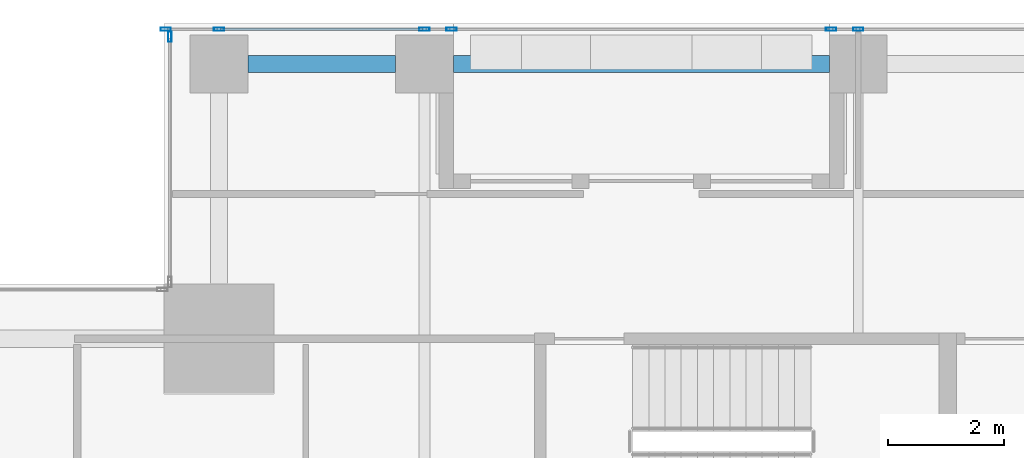
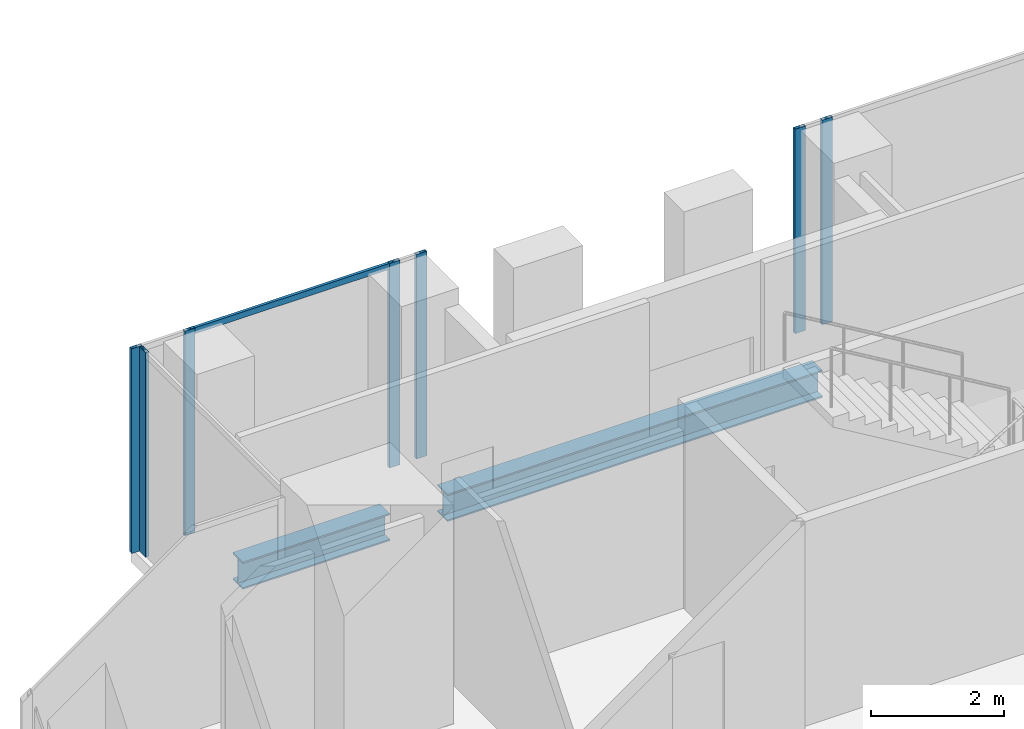
# One storey, part 21 of 40: 8 members, 2 beams, 3 elements without a shape of their own.
"""IFC4 building model written with IfcOpenShell, lengths in metres."""

from ifc_helpers import new_model, si_unit, direction, frame, origin, origin_2d, place, context, subcontext, project, spatial, hollow_rectangle, i_section, extrude, source, transform, mapped, material, material_profile, profile_set, type_object, element, aggregate, save


model = new_model("IFC4")

# Units and contexts
model_context = context("Model", 3, precision=1e-05, world=origin(), true_north=direction((0.0, 1.0)))
body_context = subcontext(model_context, "Body", "Model", "MODEL_VIEW")
ifc_project = project(units=[si_unit("LENGTHUNIT", "METRE"), si_unit("AREAUNIT", "SQUARE_METRE"), si_unit("VOLUMEUNIT", "CUBIC_METRE"), si_unit("PLANEANGLEUNIT", "RADIAN"), si_unit("MASSUNIT", "GRAM", prefix="KILO")], contexts=[model_context])

# Site, building, storey
site_placement = place(None, origin())
site = spatial("IfcSite", under=ifc_project, at=site_placement, CompositionType="ELEMENT")
building_placement = place(site_placement, origin())
building = spatial("IfcBuilding", under=site, at=building_placement, Name="Khomas Fold Tower", CompositionType="ELEMENT")
storey_placement = place(building_placement, frame((0.0, 0.0, 192.699951171875)))
storey = spatial("IfcBuildingStorey", under=building, at=storey_placement, Name="L42", CompositionType="ELEMENT", Elevation=192.699951171875)

# Beams
ifc_material_1 = material(Name="Steel S355", Category="steel")
ifc_material_profile_1 = material_profile(ifc_material_1, i_section(OverallWidth=0.300048828125, OverallDepth=0.5, WebThickness=0.014404296875, FlangeThickness=0.028076171875, at=origin_2d()), Name="HE 500 B")
ifc_profile_set_1 = profile_set([ifc_material_profile_1], Name="Steel S355")
beam_type = type_object("IfcBeamType", Name="HE 500 B spandrel SB3", PredefinedType="SPANDREL", material=ifc_profile_set_1)
shared_shape_1 = source(origin(), body_context, "Body", "SweptSolid", [
    extrude(i_section(OverallWidth=0.300048828125, OverallDepth=0.5, WebThickness=0.014404296875, FlangeThickness=0.028076171875, at=origin_2d()), origin(), (0.0, 0.0, 1.0), 2.550048828125),
])
beam_1_placement = place(storey_placement, frame((8.949951171875, 50.300048828125, -0.5), z_axis=(1.0, 0.0, 0.0), x_axis=(0.0, 1.0, 0.0)))
element("IfcBeam", 1, at=beam_1_placement, inside=storey, type_object=beam_type, Name="SB3", PredefinedType="SPANDREL", context=body_context, shape_type="MappedRepresentation", body=[
    mapped(shared_shape_1, transform((0.0, 0.0, 0.0))),
])
shared_shape_2 = source(origin(), body_context, "Body", "SweptSolid", [
    extrude(i_section(OverallWidth=0.300048828125, OverallDepth=0.5, WebThickness=0.014404296875, FlangeThickness=0.028076171875, at=origin_2d()), origin(), (0.0, 0.0, 1.0), 6.5),
])
beam_2_placement = place(storey_placement, frame((12.5, 50.300048828125, -0.5), z_axis=(1.0, 0.0, 0.0), x_axis=(0.0, 1.0, 0.0)))
element("IfcBeam", 2, at=beam_2_placement, inside=storey, type_object=beam_type, Name="SB3", PredefinedType="SPANDREL", context=body_context, shape_type="MappedRepresentation", body=[
    mapped(shared_shape_2, transform((0.0, 0.0, 0.0))),
])

# Curtain wall, members
ifc_material_2 = material(Name="Aluminium framed double glazing", Category="aluminium")
curtain_wall_type = type_object("IfcCurtainWallType", Name="SK-Unitised clear-glass wall, office floors CW2", PredefinedType="NOTDEFINED", material=ifc_material_2)
curtain_wall_1_placement = place(storey_placement, origin())
curtain_wall_1 = element("IfcCurtainWall", 3, at=curtain_wall_1_placement, inside=storey, type_object=curtain_wall_type, Name="CW2 run L42 06-0", PredefinedType="NOTDEFINED")
ifc_material_3 = material(Name="Aluminium", Category="aluminium")
ifc_material_profile_2 = material_profile(ifc_material_3, hollow_rectangle(XDim=0.06005859375, YDim=0.179931640625, WallThickness=0.00390625, at=origin_2d()), Name="SK-Unitised clear-glass wall, office floors mullion CW2-M")
ifc_profile_set_2 = profile_set([ifc_material_profile_2], Name="Aluminium")
member_type_1 = type_object("IfcMemberType", Name="SK-Unitised clear-glass wall, office floors mullion CW2-M", PredefinedType="MULLION", material=ifc_profile_set_2)
shared_shape_3 = source(origin(), body_context, "Body", "SweptSolid", [
    extrude(hollow_rectangle(XDim=0.06005859375, YDim=0.179931640625, WallThickness=0.00390625, at=origin_2d()), origin(), (0.0, 0.0, 1.0), 3.75),
])
member_1_placement = place(storey_placement, frame((19.5, 50.89990234375, 0.0), z_axis=(0.0, 0.0, 1.0), x_axis=(0.0, -1.0, 0.0)))
member_1 = element("IfcMember", 4, at=member_1_placement, type_object=member_type_1, Name="CW2 mullion 4", PredefinedType="MULLION", context=body_context, shape_type="MappedRepresentation", body=[
    mapped(shared_shape_3, transform((0.0, 0.0, 0.0))),
])
member_2_placement = place(storey_placement, frame((19.030029296875, 50.89990234375, 0.0), z_axis=(0.0, 0.0, 1.0), x_axis=(0.0, -1.0, 0.0)))
member_2 = element("IfcMember", 5, at=member_2_placement, type_object=member_type_1, Name="CW2 mullion 5", PredefinedType="MULLION", context=body_context, shape_type="MappedRepresentation", body=[
    mapped(shared_shape_3, transform((0.0, 0.0, 0.0))),
])
aggregate(curtain_wall_1, [member_1, member_2])

curtain_wall_2_placement = place(storey_placement, origin())
curtain_wall_2 = element("IfcCurtainWall", 6, at=curtain_wall_2_placement, inside=storey, type_object=curtain_wall_type, Name="CW2 run L42 06-1", PredefinedType="NOTDEFINED")
member_3_placement = place(storey_placement, frame((12.469970703125, 50.89990234375, 0.0), z_axis=(0.0, 0.0, 1.0), x_axis=(0.0, -1.0, 0.0)))
member_3 = element("IfcMember", 7, at=member_3_placement, type_object=member_type_1, Name="CW2 mullion 1", PredefinedType="MULLION", context=body_context, shape_type="MappedRepresentation", body=[
    mapped(shared_shape_3, transform((0.0, 0.0, 0.0))),
])
member_4_placement = place(storey_placement, frame((12.0, 50.89990234375, 0.0), z_axis=(0.0, 0.0, 1.0), x_axis=(0.0, -1.0, 0.0)))
member_4 = element("IfcMember", 8, at=member_4_placement, type_object=member_type_1, Name="CW2 mullion 2", PredefinedType="MULLION", context=body_context, shape_type="MappedRepresentation", body=[
    mapped(shared_shape_3, transform((0.0, 0.0, 0.0))),
])
member_5_placement = place(storey_placement, frame((8.449951171875, 50.89990234375, 0.0), z_axis=(0.0, 0.0, 1.0), x_axis=(0.0, -1.0, 0.0)))
member_5 = element("IfcMember", 9, at=member_5_placement, type_object=member_type_1, Name="CW2 mullion 3", PredefinedType="MULLION", context=body_context, shape_type="MappedRepresentation", body=[
    mapped(shared_shape_3, transform((0.0, 0.0, 0.0))),
])
member_6_placement = place(storey_placement, frame((7.530029296875, 50.89990234375, 0.0), z_axis=(0.0, 0.0, 1.0), x_axis=(0.0, -1.0, 0.0)))
member_6 = element("IfcMember", 10, at=member_6_placement, type_object=member_type_1, Name="CW2 mullion 4", PredefinedType="MULLION", context=body_context, shape_type="MappedRepresentation", body=[
    mapped(shared_shape_3, transform((0.0, 0.0, 0.0))),
])

# Curtain wall, member
curtain_wall_3_placement = place(storey_placement, origin())
curtain_wall_3 = element("IfcCurtainWall", 11, at=curtain_wall_3_placement, inside=storey, type_object=curtain_wall_type, Name="CW2 corner return L42 07", PredefinedType="NOTDEFINED")
member_7_placement = place(storey_placement, frame((7.60009765625, 50.77001953125, 0.0), z_axis=(0.0, 0.0, 1.0), x_axis=(1.0, 0.0, 0.0)))
member_7 = element("IfcMember", 12, at=member_7_placement, type_object=member_type_1, Name="CW2 mullion 1", PredefinedType="MULLION", context=body_context, shape_type="MappedRepresentation", body=[
    mapped(shared_shape_3, transform((0.0, 0.0, 0.0))),
])
aggregate(curtain_wall_3, [member_7])

# Member
ifc_material_4 = material(Name="Aluminium", Category="aluminium")
ifc_material_profile_3 = material_profile(ifc_material_4, hollow_rectangle(XDim=0.050048828125, YDim=0.110107421875, WallThickness=0.00390625, at=origin_2d()), Name="SK-Unitised clear-glass wall, office floors transom CW2-T")
ifc_profile_set_3 = profile_set([ifc_material_profile_3], Name="Aluminium")
member_type_2 = type_object("IfcMemberType", Name="SK-Unitised clear-glass wall, office floors transom CW2-T", PredefinedType="USERDEFINED", material=ifc_profile_set_3)
shared_shape_4 = source(origin(), body_context, "Body", "SweptSolid", [
    extrude(hollow_rectangle(XDim=0.050048828125, YDim=0.110107421875, WallThickness=0.00390625, at=origin_2d()), origin(), (0.0, 0.0, 1.0), 3.489990234375),
])
member_8_placement = place(storey_placement, frame((11.969970703125, 50.89990234375, 3.695068359375), z_axis=(-1.0, 0.0, 0.0), x_axis=(0.0, -1.0, 0.0)))
member_8 = element("IfcMember", 13, at=member_8_placement, type_object=member_type_2, Name="CW2 transom 2", ObjectType="TRANSOM", PredefinedType="USERDEFINED", context=body_context, shape_type="MappedRepresentation", body=[
    mapped(shared_shape_4, transform((0.0, 0.0, 0.0))),
])

aggregate(curtain_wall_2, [member_3, member_4, member_5, member_6, member_8])

save(model, "model.ifc")
